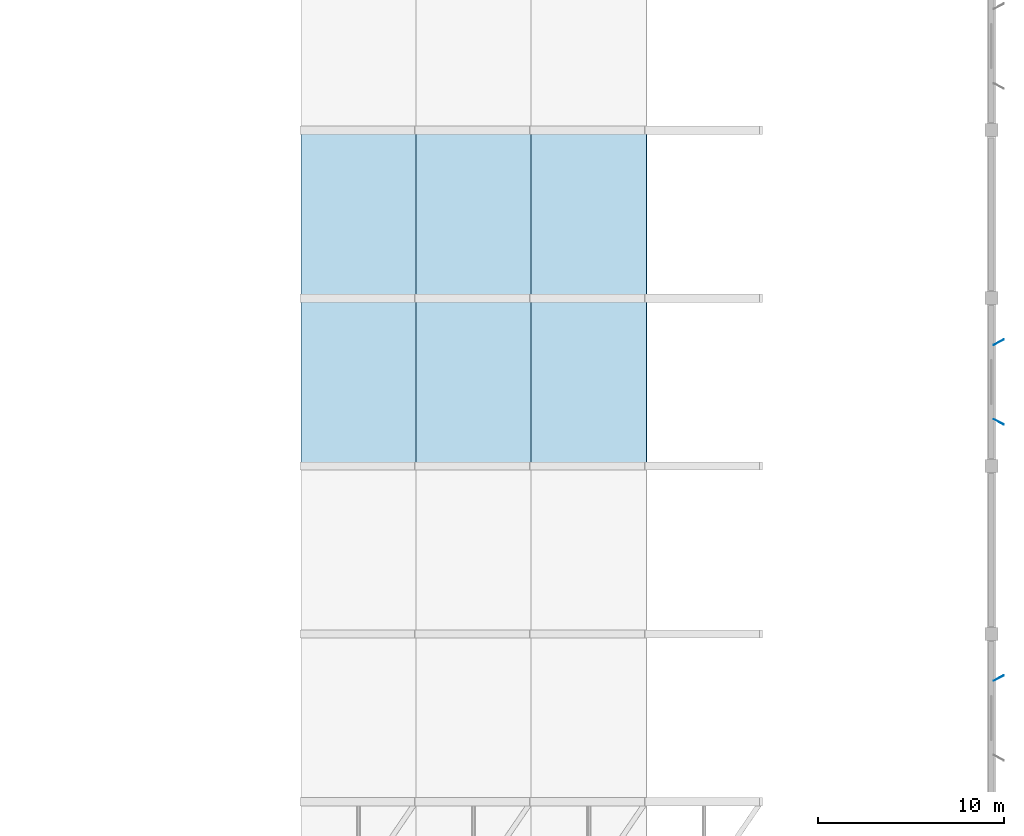
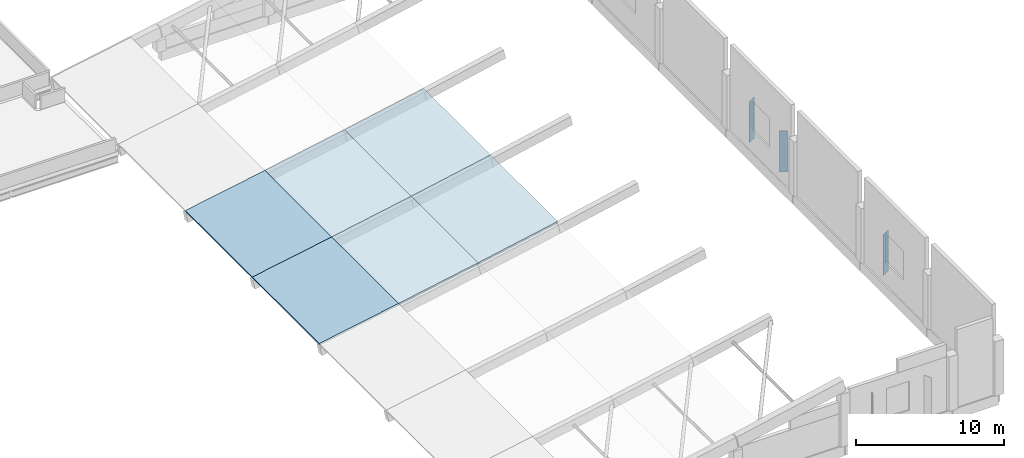
# One storey, part 11 of 34: 6 slabs, 3 plates.
"""IFC4 building model written with IfcOpenShell, lengths in metres."""

from ifc_helpers import new_model, si_unit, direction, frame, origin, origin_2d, place, context, subcontext, project, spatial, polyline, rectangle, outline, extrude, material, layer, layer_set, type_object, element, save


model = new_model("IFC4")

# Units and contexts
model_context = context("Model", 3, precision=1e-05, world=origin(), true_north=direction((0.0, 1.0)))
body_context = subcontext(model_context, "Body", "Model", "MODEL_VIEW")
ifc_project = project(units=[si_unit("LENGTHUNIT", "METRE"), si_unit("AREAUNIT", "SQUARE_METRE"), si_unit("VOLUMEUNIT", "CUBIC_METRE"), si_unit("PLANEANGLEUNIT", "RADIAN"), si_unit("MASSUNIT", "GRAM", prefix="KILO")], contexts=[model_context])

# Site, building, storey
site_placement = place(None, origin())
site = spatial("IfcSite", under=ifc_project, at=site_placement, CompositionType="ELEMENT")
building_placement = place(site_placement, origin())
building = spatial("IfcBuilding", under=site, at=building_placement, Name="Khurvash Pelagic Aquarium", CompositionType="ELEMENT")
storey_placement = place(building_placement, frame((0.0, 0.0, 15.60009765625)))
storey = spatial("IfcBuildingStorey", under=building, at=storey_placement, Name="L03", CompositionType="ELEMENT", Elevation=15.60009765625)

# Slabs
ifc_material_1 = material(Name="Steel-fibre concrete C40/50", Category="concrete")
ifc_layer_1 = layer(ifc_material_1, 0.14990234375)
ifc_layer_set_1 = layer_set([ifc_layer_1], Name="Steel-fibre concrete C40/50")
slab_type = type_object("IfcSlabType", Name="RS-150", PredefinedType="ROOF", material=ifc_layer_set_1)
slab_1_placement = place(storey_placement, frame((126.0, 47.85009765625, 0.599853515625), z_axis=(-0.18086177632, 0.0, 0.983508524552), x_axis=(0.983508524552, 0.0, 0.18086177632)))
element("IfcSlab", 1, at=slab_1_placement, inside=storey, type_object=slab_type, Name="Main Ocean Tank Wave Shell Roof Strip RS-150 Bay 4.1", PredefinedType="ROOF", context=body_context, shape_type="SweptSolid", body=[
    extrude(outline(polyline([(0.0, 0.0), (6.303911981545761, 0.0), (6.303911981545761, 9.049804687500002), (0.0, 9.049804687500002), (0.0, 0.0)])), origin(), (0.0, 0.0, -1.0), 0.14990234375),
])
slab_2_placement = place(storey_placement, frame((132.199951171875, 47.85009765625, 1.739990234375), z_axis=(-0.186957456135, 0.0, 0.982368011285), x_axis=(0.982368011285, 0.0, 0.186957456135)))
element("IfcSlab", 2, at=slab_2_placement, inside=storey, type_object=slab_type, Name="Main Ocean Tank Wave Shell Roof Strip RS-150 Bay 4.2", PredefinedType="ROOF", context=body_context, shape_type="SweptSolid", body=[
    extrude(outline(polyline([(0.0, 0.0), (6.311230720721767, 0.0), (6.311230720721767, 9.0498046875), (0.0, 9.0498046875), (0.0, 0.0)])), origin(), (0.0, 0.0, -1.0), 0.14990234375),
])
slab_3_placement = place(storey_placement, frame((138.39990234375, 47.85009765625, 2.919921875), z_axis=(-0.19610870981, 0.0, 0.980582160727), x_axis=(0.980582160727, 0.0, 0.19610870981)))
element("IfcSlab", 3, at=slab_3_placement, inside=storey, type_object=slab_type, Name="Main Ocean Tank Wave Shell Roof Strip RS-150 Bay 4.3", PredefinedType="ROOF", context=body_context, shape_type="SweptSolid", body=[
    extrude(outline(polyline([(0.0, 0.0), (6.322973801502925, 0.0), (6.322973801502925, 9.0498046875), (0.0, 9.0498046875), (0.0, 0.0)])), origin(), (0.0, 0.0, -1.0), 0.14990234375),
])
slab_4_placement = place(storey_placement, frame((126.0, 56.89990234375, 0.599853515625), z_axis=(-0.18086177632, 0.0, 0.983508524552), x_axis=(0.983508524552, 0.0, 0.18086177632)))
element("IfcSlab", 4, at=slab_4_placement, inside=storey, type_object=slab_type, Name="Main Ocean Tank Wave Shell Roof Strip RS-150 Bay 5.1", PredefinedType="ROOF", context=body_context, shape_type="SweptSolid", body=[
    extrude(outline(polyline([(0.0, 0.0), (6.303911981545761, 0.0), (6.303911981545761, 9.050048828125), (0.0, 9.050048828125), (0.0, 0.0)])), origin(), (0.0, 0.0, -1.0), 0.14990234375),
])
slab_5_placement = place(storey_placement, frame((132.199951171875, 56.89990234375, 1.739990234375), z_axis=(-0.186957456135, 0.0, 0.982368011285), x_axis=(0.982368011285, 0.0, 0.186957456135)))
element("IfcSlab", 5, at=slab_5_placement, inside=storey, type_object=slab_type, Name="Main Ocean Tank Wave Shell Roof Strip RS-150 Bay 5.2", PredefinedType="ROOF", context=body_context, shape_type="SweptSolid", body=[
    extrude(outline(polyline([(0.0, 0.0), (6.311230720721767, 0.0), (6.311230720721767, 9.050048828125), (0.0, 9.050048828125), (0.0, 0.0)])), origin(), (0.0, 0.0, -1.0), 0.14990234375),
])
slab_6_placement = place(storey_placement, frame((138.39990234375, 56.89990234375, 2.919921875), z_axis=(-0.19610870981, 0.0, 0.980582160727), x_axis=(0.980582160727, 0.0, 0.19610870981)))
element("IfcSlab", 6, at=slab_6_placement, inside=storey, type_object=slab_type, Name="Main Ocean Tank Wave Shell Roof Strip RS-150 Bay 5.3", PredefinedType="ROOF", context=body_context, shape_type="SweptSolid", body=[
    extrude(outline(polyline([(0.0, 0.0), (6.322973801502925, 0.0), (6.322973801502925, 9.050048828125002), (0.0, 9.050048828125002), (0.0, 0.0)])), origin(), (0.0, 0.0, -1.0), 0.14990234375),
])

# Plates
ifc_material_2 = material(Name="Anodised aluminium AW-5005", Category="aluminium")
ifc_layer_2 = layer(ifc_material_2, 0.02392578125)
ifc_layer_set_2 = layer_set([ifc_layer_2], Name="Anodised aluminium AW-5005")
plate_type = type_object("IfcPlateType", Name="SP-01", PredefinedType="SHEET", material=ifc_layer_set_2)
for number, where, z_axis, x_axis, name in (
    (7, (163.597900390625, 36.425048828125, 0.14990234375), (0.0, 0.0, 1.0), (0.882947592859, 0.469471562786, 0.0), "L03 Parametric Folded Aluminium Solar Screen Fin SP-01 0154"),
    (8, (163.597900390625, 50.22509765625, 0.14990234375), (0.0, 0.0, 1.0), (0.882947592859, -0.469471562786, 0.0), "L03 Parametric Folded Aluminium Solar Screen Fin SP-01 0155"),
    (9, (163.597900390625, 54.52490234375, 0.14990234375), (0.0, 0.0, 1.0), (0.882947592859, 0.469471562786, 0.0), "L03 Parametric Folded Aluminium Solar Screen Fin SP-01 0156"),
):
    element("IfcPlate", number, at=place(storey_placement, frame(where, z_axis=z_axis, x_axis=x_axis)), inside=storey, type_object=plate_type, Name=name, PredefinedType="SHEET", context=body_context, shape_type="SweptSolid", body=[
        extrude(rectangle(XDim=0.6201171875, YDim=0.02392578125, at=origin_2d()), origin(), (0.0, 0.0, 1.0), 3.39990234375),
    ])

save(model, "model.ifc")
